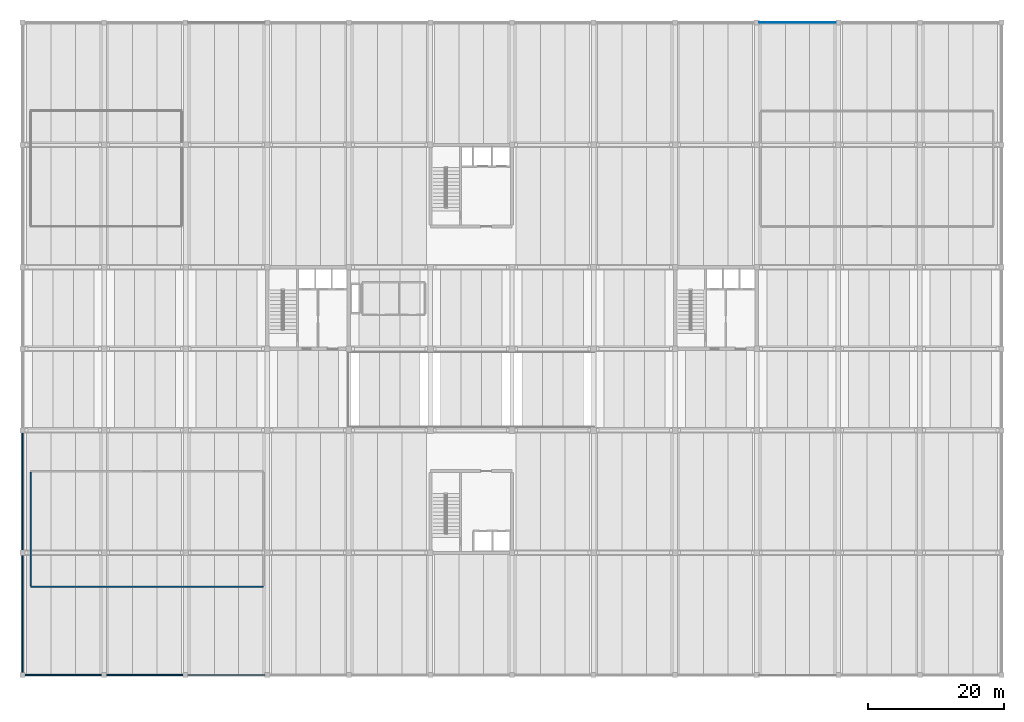
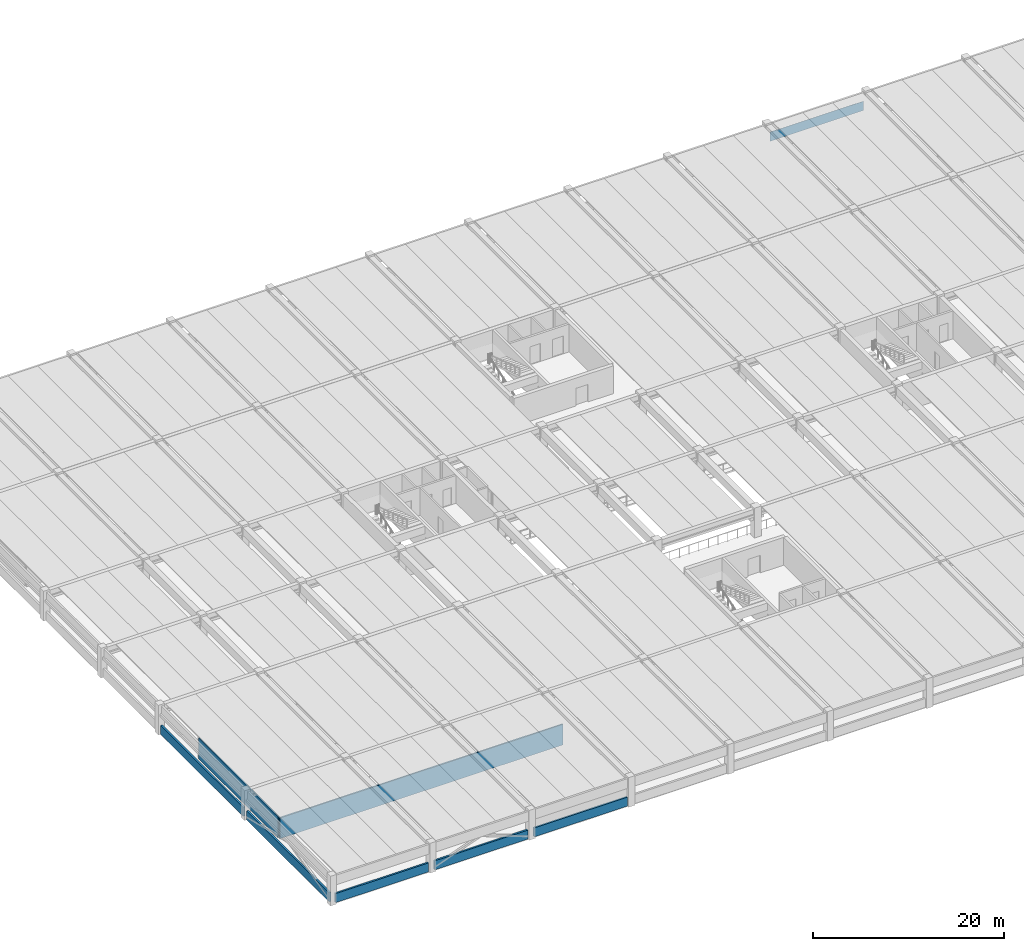
# One storey, part 6 of 16: 7 walls, 1 plate.
"""IFC4 building model written with IfcOpenShell, lengths in metres."""

from ifc_helpers import new_model, si_unit, direction, frame, frame_2d, origin, origin_2d, place, context, subcontext, project, spatial, rectangle, extrude, material, layer, layer_set, type_object, element, save


model = new_model("IFC4")

# Units and contexts
model_context = context("Model", 3, precision=1e-05, world=origin(), true_north=direction((0.0, 1.0)))
body_context = subcontext(model_context, "Body", "Model", "MODEL_VIEW")
ifc_project = project(units=[si_unit("LENGTHUNIT", "METRE"), si_unit("AREAUNIT", "SQUARE_METRE"), si_unit("VOLUMEUNIT", "CUBIC_METRE"), si_unit("PLANEANGLEUNIT", "RADIAN"), si_unit("MASSUNIT", "GRAM", prefix="KILO")], contexts=[model_context])

# Site, building, storey
site_placement = place(None, origin())
site = spatial("IfcSite", under=ifc_project, at=site_placement, CompositionType="ELEMENT")
building_placement = place(site_placement, origin())
building = spatial("IfcBuilding", under=site, at=building_placement, Name="Girod Span Mobility Hub", CompositionType="ELEMENT")
storey_placement = place(building_placement, frame((0.0, 0.0, 28.60009765625)))
storey = spatial("IfcBuildingStorey", under=building, at=storey_placement, Name="L07", CompositionType="ELEMENT", Elevation=28.60009765625)

# Plate
ifc_material_1 = material(Name="Perforated Powder-Coated Aluminium Sheet", Category="aluminium")
ifc_layer_1 = layer(ifc_material_1, 0.028076171875)
ifc_layer_set_1 = layer_set([ifc_layer_1], Name="Perforated Powder-Coated Aluminium Sheet")
plate_type = type_object("IfcPlateType", Name="PLT-CLD-11254X1180X28", PredefinedType="USERDEFINED", material=ifc_layer_set_1)
plate_placement = place(storey_placement, frame((126.0, 105.0, 1.14990234375), z_axis=(0.0, 0.0, 1.0), x_axis=(1.0, 0.0, 0.0)))
element("IfcPlate", 1, at=plate_placement, inside=storey, type_object=plate_type, Name="Perforated Aluminium Cladding Panel N-11 L07", ObjectType="CLADDING", PredefinedType="USERDEFINED", context=body_context, shape_type="SweptSolid", body=[
    extrude(rectangle(XDim=11.25390625, YDim=0.028076171875, at=origin_2d()), origin(), (0.0, 0.0, 1.0), 1.179931640625),
])

# Walls
ifc_material_2 = material(Name="Fire-Rated Gypsum Board on Metal Studs", Category="gypsum")
ifc_layer_2 = layer(ifc_material_2, 0.1650390625)
ifc_layer_set_2 = layer_set([ifc_layer_2], Name="Fire-Rated Gypsum Board on Metal Studs")
wall_type_1 = type_object("IfcWallType", Name="W-FP-165", PredefinedType="PARTITIONING", material=ifc_layer_set_2)
wall_1_placement = place(storey_placement, frame((13.199951171875, 22.0, 0.0), z_axis=(0.0, 0.0, 1.0), x_axis=(1.0, 0.0, 0.0)))
element("IfcWall", 2, at=wall_1_placement, inside=storey, type_object=wall_type_1, Name="Fleet Diagnostics Workshop Partition S", PredefinedType="PARTITIONING", context=body_context, shape_type="SweptSolid", body=[
    extrude(rectangle(XDim=34.199951171875, YDim=0.1650390625, at=frame_2d((17.10009765625, 0.0))), origin(), (0.0, 0.0, 1.0), 2.639892578125),
])
wall_2_placement = place(storey_placement, frame((13.199951171875, 22.159912109375, 0.0), z_axis=(0.0, 0.0, 1.0), x_axis=(0.0, 1.0, 0.0)))
element("IfcWall", 3, at=wall_2_placement, inside=storey, type_object=wall_type_1, Name="Fleet Diagnostics Workshop Partition W", PredefinedType="PARTITIONING", context=body_context, shape_type="SweptSolid", body=[
    extrude(rectangle(XDim=16.68017578125, YDim=0.1650390625, at=frame_2d((8.340087890625, 0.0))), origin(), (0.0, 0.0, 1.0), 2.639892578125),
])
ifc_material_3 = material(Name="Precast Architectural Concrete C40/50", Category="concrete")
ifc_layer_3 = layer(ifc_material_3, 0.215087890625)
ifc_layer_set_3 = layer_set([ifc_layer_3], Name="Precast Architectural Concrete C40/50")
wall_type_2 = type_object("IfcWallType", Name="W-PAR-215", PredefinedType="PARAPET", material=ifc_layer_set_3)
for number, where, z_axis, x_axis, name in (
    (4, (12.373046875, 9.0, 0.0), (0.0, 0.0, 1.0), (1.0, 0.0, 0.0), "Precast Parking Barrier Parapet S-2 L07"),
    (5, (24.373046875, 9.0, 0.0), (0.0, 0.0, 1.0), (1.0, 0.0, 0.0), "Precast Parking Barrier Parapet S-3 L07"),
    (6, (36.373046875, 9.0, 0.0), (0.0, 0.0, 1.0), (1.0, 0.0, 0.0), "Precast Parking Barrier Parapet S-4 L07"),
):
    element("IfcWall", number, at=place(storey_placement, frame(where, z_axis=z_axis, x_axis=x_axis)), inside=storey, type_object=wall_type_2, Name=name, PredefinedType="PARAPET", context=body_context, shape_type="SweptSolid", body=[
        extrude(rectangle(XDim=11.25390625, YDim=0.215087890625, at=frame_2d((5.626953125, 0.0))), origin(), (0.0, 0.0, 1.0), 1.14990234375),
    ])
for number, where, z_axis, x_axis, name in (
    (7, (12.0, 9.373046875, 0.0), (0.0, 0.0, 1.0), (0.0, 1.0, 0.0), "Precast Side Barrier Parapet W-B-1 L07"),
    (8, (12.0, 27.373046875, 0.0), (0.0, 0.0, 1.0), (0.0, 1.0, 0.0), "Precast Side Barrier Parapet W-C-1 L07"),
):
    element("IfcWall", number, at=place(storey_placement, frame(where, z_axis=z_axis, x_axis=x_axis)), inside=storey, type_object=wall_type_2, Name=name, PredefinedType="PARAPET", context=body_context, shape_type="SweptSolid", body=[
        extrude(rectangle(XDim=17.25390625, YDim=0.215087890625, at=frame_2d((8.626953125, 0.0))), origin(), (0.0, 0.0, 1.0), 1.14990234375),
    ])

save(model, "model.ifc")
